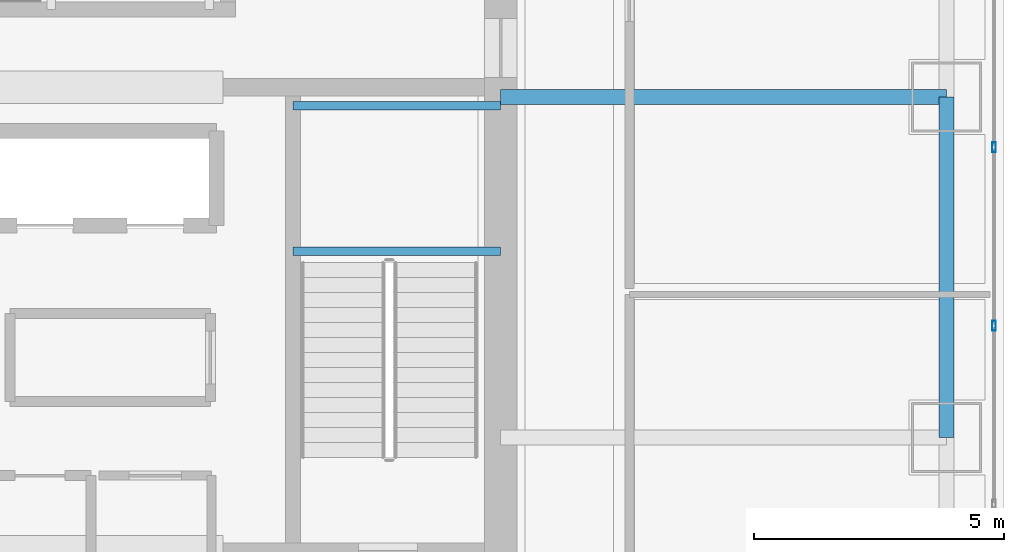
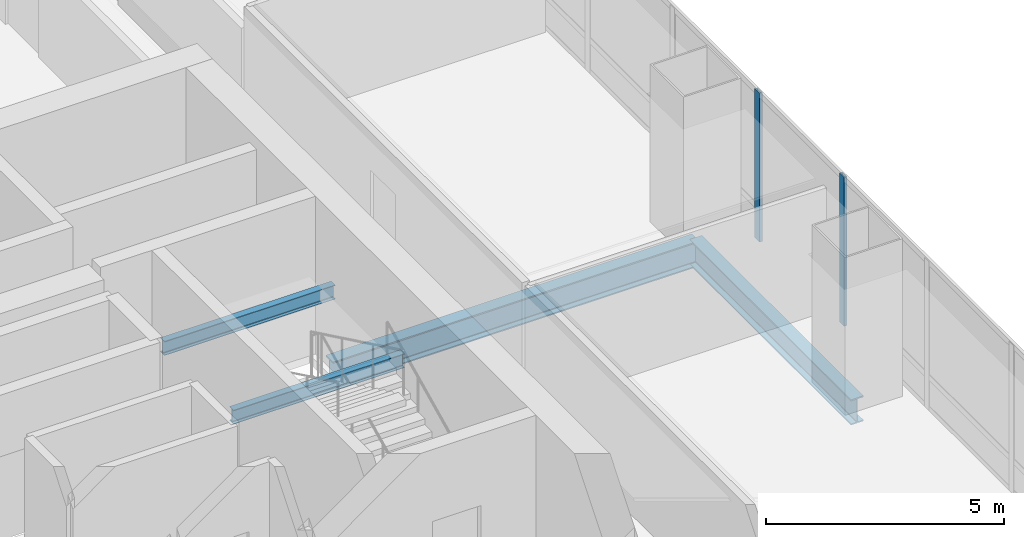
# One storey, part 16 of 38: 4 beams, 2 members, 1 element without a shape of its own.
"""IFC4 building model written with IfcOpenShell, lengths in metres."""

from ifc_helpers import new_model, si_unit, direction, frame, origin, origin_2d, place, context, subcontext, project, spatial, hollow_rectangle, i_section, extrude, material, material_profile, profile_set, type_object, element, aggregate, save


model = new_model("IFC4")

# Units and contexts
model_context = context("Model", 3, precision=1e-05, world=origin(), true_north=direction((0.0, 1.0)))
body_context = subcontext(model_context, "Body", "Model", "MODEL_VIEW")
ifc_project = project(units=[si_unit("LENGTHUNIT", "METRE"), si_unit("AREAUNIT", "SQUARE_METRE"), si_unit("VOLUMEUNIT", "CUBIC_METRE"), si_unit("PLANEANGLEUNIT", "RADIAN"), si_unit("MASSUNIT", "GRAM", prefix="KILO")], contexts=[model_context])

# Site, building, storey
site_placement = place(None, origin())
site = spatial("IfcSite", under=ifc_project, at=site_placement, CompositionType="ELEMENT")
building_placement = place(site_placement, origin())
building = spatial("IfcBuilding", under=site, at=building_placement, Name="Punatoya Terracotta Tower", CompositionType="ELEMENT")
storey_placement = place(building_placement, frame((0.0, 0.0, 160.050048828125)))
storey = spatial("IfcBuildingStorey", under=building, at=storey_placement, Name="L37", CompositionType="ELEMENT", Elevation=160.050048828125)

# Beams
ifc_material_1 = material(Name="Steel S355", Category="steel")
ifc_material_profile_1 = material_profile(ifc_material_1, i_section(OverallWidth=0.300048828125, OverallDepth=0.64990234375, WebThickness=0.01611328125, FlangeThickness=0.031005859375, FilletRadius=0.01806640625, at=origin_2d()))
ifc_profile_set_1 = profile_set([ifc_material_profile_1], Name="Steel S355")
beam_type_1 = type_object("IfcBeamType", Name="BM-PRI-650", PredefinedType="BEAM", material=ifc_profile_set_1)
beam_1_placement = place(storey_placement, frame((19.10009765625, -3.39990234375, -0.545166015625), z_axis=(0.0, 1.0, 0.0), x_axis=(-1.0, 0.0, 0.0)))
element("IfcBeam", 1, at=beam_1_placement, inside=storey, type_object=beam_type_1, Name="BM-L37-RG-E2", PredefinedType="BEAM", context=body_context, shape_type="SweptSolid", body=[
    extrude(i_section(OverallWidth=0.300048828125, OverallDepth=0.64990234375, WebThickness=0.01611328125, FlangeThickness=0.031005859375, FilletRadius=0.01806640625, at=origin_2d()), origin(), (0.0, 0.0, 1.0), 6.7998046875),
])
beam_2_placement = place(storey_placement, frame((10.199951171875, 3.39990234375, -0.545166015625), z_axis=(1.0, 0.0, 0.0), x_axis=(0.0, 1.0, 0.0)))
element("IfcBeam", 2, at=beam_2_placement, inside=storey, type_object=beam_type_1, Name="BM-L37-PR-EE", PredefinedType="BEAM", context=body_context, shape_type="SweptSolid", body=[
    extrude(i_section(OverallWidth=0.300048828125, OverallDepth=0.64990234375, WebThickness=0.01611328125, FlangeThickness=0.031005859375, FilletRadius=0.01806640625, at=origin_2d()), origin(), (0.0, 0.0, 1.0), 8.900146484375),
])
ifc_material_profile_2 = material_profile(ifc_material_1, i_section(OverallWidth=0.169921875, OverallDepth=0.360107421875, WebThickness=0.008056640625, FlangeThickness=0.0126953125, FilletRadius=0.01806640625, at=origin_2d()))
ifc_profile_set_2 = profile_set([ifc_material_profile_2], Name="Steel S355")
beam_type_2 = type_object("IfcBeamType", Name="BM-SEC-360", PredefinedType="JOIST", material=ifc_profile_set_2)
for number, where, z_axis, x_axis, name in (
    (3, (6.050048828125, 0.320068359375, 1.64501953125), (1.0, 0.0, 0.0), (0.0, 1.0, 0.0), "BM-L37-ST-2-LD1A"),
    (4, (6.050048828125, 3.22998046875, 1.64501953125), (1.0, 0.0, 0.0), (0.0, 1.0, 0.0), "BM-L37-ST-2-LD1B"),
):
    element("IfcBeam", number, at=place(storey_placement, frame(where, z_axis=z_axis, x_axis=x_axis)), inside=storey, type_object=beam_type_2, Name=name, PredefinedType="JOIST", context=body_context, shape_type="SweptSolid", body=[
        extrude(i_section(OverallWidth=0.169921875, OverallDepth=0.360107421875, WebThickness=0.008056640625, FlangeThickness=0.0126953125, FilletRadius=0.01806640625, at=origin_2d()), origin(), (0.0, 0.0, 1.0), 4.14990234375),
    ])

# Curtain wall, members
ifc_material_2 = material(Name="Aluminium 6063-T6 + Double Low-E Glass", Category="aluminium")
curtain_wall_type = type_object("IfcCurtainWallType", Name="CW-M2", PredefinedType="NOTDEFINED", material=ifc_material_2)
curtain_wall_placement = place(storey_placement, origin())
curtain_wall = element("IfcCurtainWall", 5, at=curtain_wall_placement, inside=storey, type_object=curtain_wall_type, Name="L37 Curtain Wall CW-L37-E05-1", PredefinedType="NOTDEFINED")
ifc_material_3 = material(Name="Aluminium 6063-T6", Category="aluminium")
ifc_material_profile_3 = material_profile(ifc_material_3, hollow_rectangle(XDim=0.072021484375, YDim=0.195068359375, WallThickness=0.00439453125, at=origin_2d()))
ifc_profile_set_3 = profile_set([ifc_material_profile_3], Name="Aluminium 6063-T6")
member_type = type_object("IfcMemberType", Name="CW-MUL-M2", PredefinedType="MULLION", material=ifc_profile_set_3)
member_1_placement = place(storey_placement, frame((20.050048828125, -1.16748046875, 0.0), z_axis=(0.0, 0.0, 1.0), x_axis=(1.0, 0.0, 0.0)))
member_1 = element("IfcMember", 6, at=member_1_placement, type_object=member_type, Name="CW-L37-E05-1 Mullion 04", PredefinedType="MULLION", context=body_context, shape_type="SweptSolid", body=[
    extrude(hollow_rectangle(XDim=0.072021484375, YDim=0.195068359375, WallThickness=0.00439453125, at=origin_2d()), origin(), (0.0, 0.0, 1.0), 3.829833984375),
])
member_2_placement = place(storey_placement, frame((20.050048828125, 2.39990234375, 0.0), z_axis=(0.0, 0.0, 1.0), x_axis=(1.0, 0.0, 0.0)))
member_2 = element("IfcMember", 7, at=member_2_placement, type_object=member_type, Name="CW-L37-E05-1 Mullion 05", PredefinedType="MULLION", context=body_context, shape_type="SweptSolid", body=[
    extrude(hollow_rectangle(XDim=0.072021484375, YDim=0.195068359375, WallThickness=0.00439453125, at=origin_2d()), origin(), (0.0, 0.0, 1.0), 3.829833984375),
])
aggregate(curtain_wall, [member_1, member_2])

save(model, "model.ifc")
